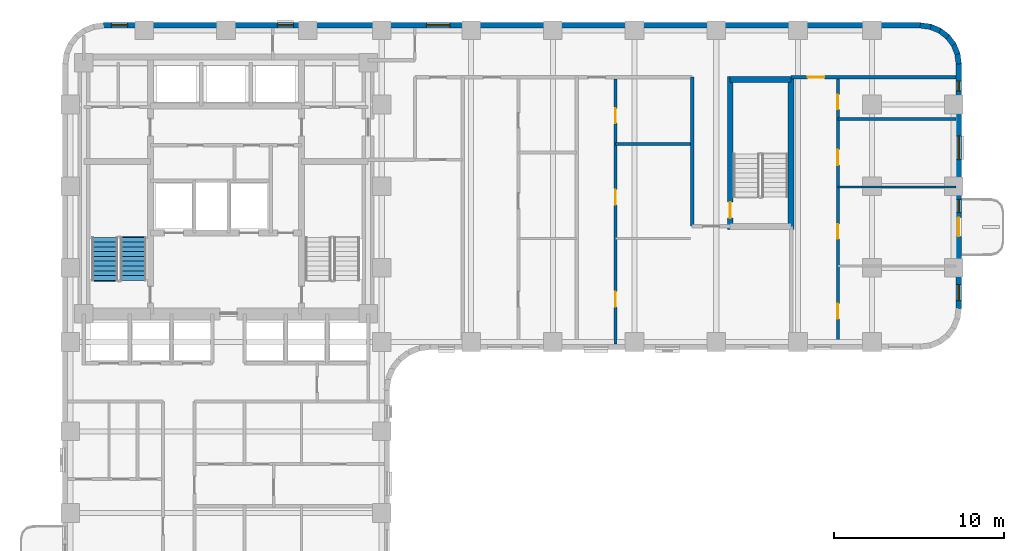
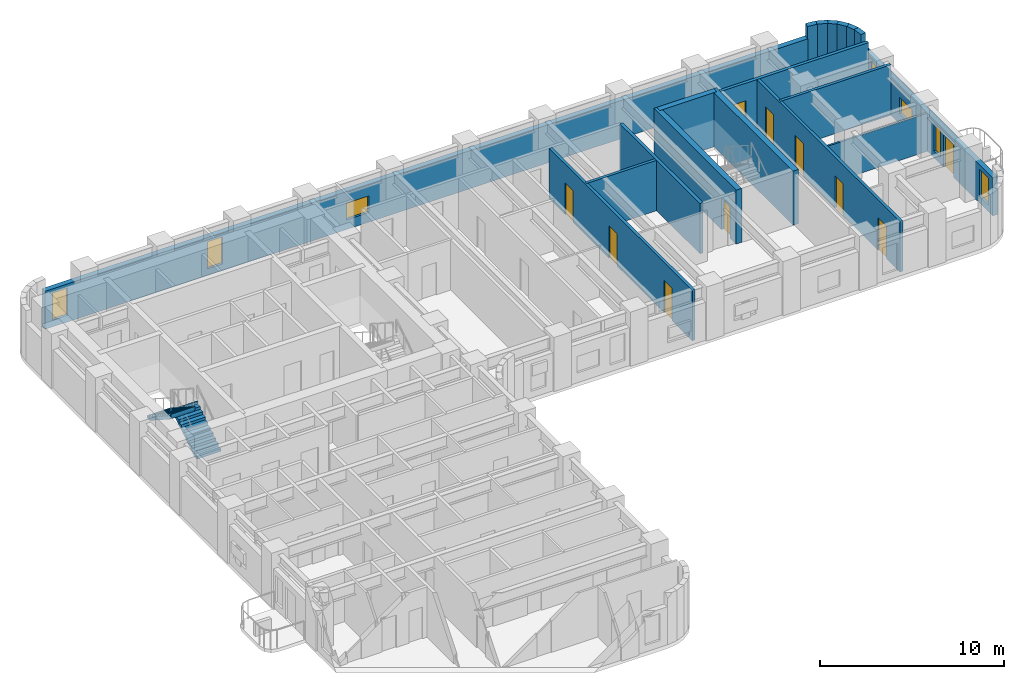
# One storey, part 7 of 11: 18 walls, 10 doors, 7 windows, 2 stair flights, 17 openings, 1 element without a shape of its own.
"""IFC4 building model written with IfcOpenShell, lengths in metres."""

from ifc_helpers import new_model, si_unit, direction, frame, frame_2d, origin, place, context, subcontext, project, spatial, polyline, rectangle, outline, extrude, material, layer, layer_set, type_object, element, fill, aggregate, save


model = new_model("IFC4")

# Units and contexts
model_context = context("Model", 3, precision=1e-05, world=origin(), true_north=direction((0.0, 1.0)))
body_context = subcontext(model_context, "Body", "Model", "MODEL_VIEW")
ifc_project = project(units=[si_unit("LENGTHUNIT", "METRE"), si_unit("AREAUNIT", "SQUARE_METRE"), si_unit("VOLUMEUNIT", "CUBIC_METRE"), si_unit("PLANEANGLEUNIT", "RADIAN"), si_unit("MASSUNIT", "GRAM", prefix="KILO")], contexts=[model_context])

# Site, building, storey
site_placement = place(None, origin())
site = spatial("IfcSite", under=ifc_project, at=site_placement, CompositionType="ELEMENT")
building_placement = place(site_placement, origin())
building = spatial("IfcBuilding", under=site, at=building_placement, Name="Orvandelia Arch Residences", CompositionType="ELEMENT")
storey_placement = place(building_placement, frame((0.0, 0.0, 89.800048828125)))
storey = spatial("IfcBuildingStorey", under=building, at=storey_placement, Name="L23", CompositionType="ELEMENT", Elevation=89.800048828125)

# Wall, opening, door
ifc_material_1 = material(Name="Concrete C50/60", Category="concrete")
ifc_layer_1 = layer(ifc_material_1, 0.35009765625, Name="Concrete C50/60", Category="concrete")
ifc_layer_set_1 = layer_set([ifc_layer_1], Name="Concrete C50/60")
wall_type_1 = type_object("IfcWallType", Name="WL-CORE-350", PredefinedType="SHEAR", material=ifc_layer_set_1)
wall_1_placement = place(storey_placement, frame((44.02001953125, 35.864990234375, 0.0), z_axis=(0.0, 0.0, 1.0), x_axis=(0.0, 1.0, 0.0)))
wall_1 = element("IfcWall", 1, at=wall_1_placement, inside=storey, type_object=wall_type_1, Name="East Stair Core Shear Wall L23-W", PredefinedType="SHEAR", context=body_context, shape_type="SweptSolid", body=[
    extrude(rectangle(XDim=8.969970703125, YDim=0.35009765625, at=frame_2d((4.48486328125, 0.0))), origin(), (0.0, 0.0, 1.0), 3.599853515625),
])
opening_1_placement = place(wall_1_placement, frame((0.64990234375, 0.0, 0.0)))
opening_1 = element("IfcOpeningElement", 2, at=opening_1_placement, cuts=wall_1, Name="Opening D7", PredefinedType="OPENING", context=body_context, shape_type="SweptSolid", body=[
    extrude(rectangle(XDim=0.949951171875, YDim=2.10009765625, at=frame_2d((0.47509765625, 1.050048828125))), frame((0.0, 0.18505859375, 0.0), z_axis=(0.0, -1.0, 0.0), x_axis=(1.0, 0.0, 0.0)), (0.0, 0.0, 1.0), 0.3701171875),
])
ifc_material_2 = material(Name="Pressurised Stairwell Fire Door")
door_type_1 = type_object("IfcDoorType", Name="DR-STAIR-950", OperationType="NOTDEFINED", PredefinedType="DOOR", material=ifc_material_2)
door_1_placement = place(opening_1_placement, origin())
door_1 = element("IfcDoor", 3, at=door_1_placement, inside=storey, type_object=door_type_1, Name="East Stairwell ST-3 Fire Door L23", OperationType="SINGLE_SWING_LEFT", OverallHeight=2.10009765625, OverallWidth=0.949951171875, PredefinedType="DOOR", context=body_context, shape_type="SweptSolid", body=[
    extrude(rectangle(XDim=0.949951171875, YDim=2.10009765625, at=frame_2d((0.47509765625, 1.050048828125))), frame((0.0, 0.02490234375, 0.0), z_axis=(0.0, -1.0, 0.0), x_axis=(1.0, 0.0, 0.0)), (0.0, 0.0, 1.0), 0.050048828125),
])
fill(opening_1, door_1)

# Walls
wall_2_placement = place(storey_placement, frame((47.60009765625, 35.864990234375, 0.0), z_axis=(0.0, 0.0, 1.0), x_axis=(0.0, 1.0, 0.0)))
element("IfcWall", 4, at=wall_2_placement, inside=storey, type_object=wall_type_1, Name="East Stair Core Shear Wall L23-E", PredefinedType="SHEAR", context=body_context, shape_type="SweptSolid", body=[
    extrude(rectangle(XDim=8.969970703125, YDim=0.35009765625, at=frame_2d((4.48486328125, 0.0))), origin(), (0.0, 0.0, 1.0), 3.599853515625),
])
wall_3_placement = place(storey_placement, frame((44.02001953125, 44.659912109375, 0.0), z_axis=(0.0, 0.0, 1.0), x_axis=(1.0, 0.0, 0.0)))
element("IfcWall", 5, at=wall_3_placement, inside=storey, type_object=wall_type_1, Name="East Stair Core Shear Wall L23-N", PredefinedType="SHEAR", context=body_context, shape_type="SweptSolid", body=[
    extrude(rectangle(XDim=3.580078125, YDim=0.35009765625, at=frame_2d((1.7900390625, 0.0))), origin(), (0.0, 0.0, 1.0), 3.599853515625),
])

# Wall, opening, door
ifc_material_3 = material(Name="Fire-Rated Corridor Partition")
ifc_layer_2 = layer(ifc_material_3, 0.199951171875, Name="Fire-Rated Corridor Partition")
ifc_layer_set_2 = layer_set([ifc_layer_2], Name="Fire-Rated Corridor Partition")
wall_type_2 = type_object("IfcWallType", Name="WL-CORR-200", PredefinedType="PARTITIONING", material=ifc_layer_set_2)
wall_4_placement = place(storey_placement, frame((47.60009765625, 44.800048828125, 0.0), z_axis=(0.0, 0.0, 1.0), x_axis=(1.0, 0.0, 0.0)))
wall_4 = element("IfcWall", 6, at=wall_4_placement, inside=storey, type_object=wall_type_2, Name="Interior Partition Wall WL-L23-EN2-S2", PredefinedType="PARTITIONING", context=body_context, shape_type="SweptSolid", body=[
    extrude(rectangle(XDim=9.679931640625, YDim=0.199951171875, at=frame_2d((4.83984375, 0.0))), origin(), (0.0, 0.0, 1.0), 3.349853515625),
])
opening_2_placement = place(wall_4_placement, frame((0.968505859375, 0.0, 0.0)))
opening_2 = element("IfcOpeningElement", 7, at=opening_2_placement, cuts=wall_4, Name="Opening D1", PredefinedType="OPENING", context=body_context, shape_type="SweptSolid", body=[
    extrude(rectangle(XDim=0.97998046875, YDim=2.179931640625, at=frame_2d((0.489990234375, 1.08984375))), frame((0.0, 0.10986328125, 0.0), z_axis=(0.0, -1.0, 0.0), x_axis=(1.0, 0.0, 0.0)), (0.0, 0.0, 1.0), 0.219970703125),
])
ifc_material_4 = material(Name="Solid-Core Timber Acoustic Fire Door", Category="wood")
door_type_2 = type_object("IfcDoorType", Name="DR-ENT-980", OperationType="NOTDEFINED", PredefinedType="DOOR", material=ifc_material_4)
door_2_placement = place(opening_2_placement, origin())
door_2 = element("IfcDoor", 8, at=door_2_placement, inside=storey, type_object=door_type_2, Name="Unit L23-08 Entrance Door", OperationType="SINGLE_SWING_RIGHT", OverallHeight=2.179931640625, OverallWidth=0.97998046875, PredefinedType="DOOR", context=body_context, shape_type="SweptSolid", body=[
    extrude(rectangle(XDim=0.97998046875, YDim=2.179931640625, at=frame_2d((0.489990234375, 1.08984375))), frame((0.0, 0.02490234375, 0.0), z_axis=(0.0, -1.0, 0.0), x_axis=(1.0, 0.0, 0.0)), (0.0, 0.0, 1.0), 0.050048828125),
])
fill(opening_2, door_2)

# Wall
wall_5_placement = place(storey_placement, frame((41.780029296875, 36.050048828125, 0.0), z_axis=(0.0, 0.0, 1.0), x_axis=(0.0, 1.0, 0.0)))
element("IfcWall", 9, at=wall_5_placement, inside=storey, type_object=wall_type_2, Name="Interior Partition Wall WL-L23-EN2-SW", PredefinedType="PARTITIONING", context=body_context, shape_type="SweptSolid", body=[
    extrude(rectangle(XDim=8.75, YDim=0.199951171875, at=frame_2d((4.375, 0.0))), origin(), (0.0, 0.0, 1.0), 3.349853515625),
])

# Wall, openings, windows
ifc_material_5 = material(Name="Precast concrete C40/50", Category="concrete")
ifc_layer_3 = layer(ifc_material_5, 0.320068359375, Name="Precast concrete C40/50", Category="concrete")
ifc_layer_set_3 = layer_set([ifc_layer_3], Name="Precast concrete C40/50")
wall_type_3 = type_object("IfcWallType", Name="WL-EXT-STONE-320", PredefinedType="STANDARD", material=ifc_layer_set_3)
wall_6_placement = place(storey_placement, frame((7.199951171875, 47.840087890625, 0.0), z_axis=(0.0, 0.0, 1.0), x_axis=(1.0, 0.0, 0.0)))
wall_6 = element("IfcWall", 10, at=wall_6_placement, inside=storey, type_object=wall_type_3, Name="Coral-Limestone Precast Facade Wall L23-007", PredefinedType="STANDARD", context=body_context, shape_type="SweptSolid", body=[
    extrude(rectangle(XDim=48.0, YDim=0.320068359375, at=frame_2d((24.0, 0.0))), origin(), (0.0, 0.0, 1.0), 2.530029296875),
])
opening_3_placement = place(wall_6_placement, frame((18.965087890625, 0.0, 0.64990234375)))
opening_3 = element("IfcOpeningElement", 11, at=opening_3_placement, cuts=wall_6, Name="Opening W10", PredefinedType="OPENING", context=body_context, shape_type="SweptSolid", body=[
    extrude(rectangle(XDim=1.39990234375, YDim=1.10009765625, at=frame_2d((0.699951171875, 0.550048828125))), frame((0.0, 0.169921875, 0.0), z_axis=(0.0, -1.0, 0.0), x_axis=(1.0, 0.0, 0.0)), (0.0, 0.0, 1.0), 0.340087890625),
])
opening_4_placement = place(wall_6_placement, frame((0.469970703125, 0.0, 0.449951171875)))
opening_4 = element("IfcOpeningElement", 12, at=opening_4_placement, cuts=wall_6, Name="Opening W4", PredefinedType="OPENING", context=body_context, shape_type="SweptSolid", body=[
    extrude(rectangle(XDim=0.949951171875, YDim=1.800048828125, at=frame_2d((0.47509765625, 0.89990234375))), frame((0.0, 0.169921875, 0.0), z_axis=(0.0, -1.0, 0.0), x_axis=(1.0, 0.0, 0.0)), (0.0, 0.0, 1.0), 0.340087890625),
])
opening_5_placement = place(wall_6_placement, frame((10.215087890625, 0.0, 0.449951171875)))
opening_5 = element("IfcOpeningElement", 13, at=opening_5_placement, cuts=wall_6, Name="Opening W4", PredefinedType="OPENING", context=body_context, shape_type="SweptSolid", body=[
    extrude(rectangle(XDim=0.949951171875, YDim=1.800048828125, at=frame_2d((0.47509765625, 0.89990234375))), frame((0.0, 0.169921875, 0.0), z_axis=(0.0, -1.0, 0.0), x_axis=(1.0, 0.0, 0.0)), (0.0, 0.0, 1.0), 0.340087890625),
])
ifc_material_6 = material(Name="Tempered Low-E Insulated Glazing", Category="glass")
window_type_1 = type_object("IfcWindowType", Name="WIN-CLR-1400x1100", PartitioningType="SINGLE_PANEL", PredefinedType="WINDOW", material=ifc_material_6)
window_1_placement = place(opening_3_placement, origin())
window_1 = element("IfcWindow", 14, at=window_1_placement, inside=storey, type_object=window_type_1, Name="Recessed Punched Window L23-001", OverallHeight=1.10009765625, OverallWidth=1.39990234375, PartitioningType="SINGLE_PANEL", PredefinedType="WINDOW", context=body_context, shape_type="SweptSolid", body=[
    extrude(rectangle(XDim=1.39990234375, YDim=1.10009765625, at=frame_2d((0.699951171875, 0.550048828125))), frame((0.0, 0.030029296875, 0.0), z_axis=(0.0, -1.0, 0.0), x_axis=(1.0, 0.0, 0.0)), (0.0, 0.0, 1.0), 0.06005859375),
])
fill(opening_3, window_1)
window_type_2 = type_object("IfcWindowType", Name="WIN-RES-0950x1800", PartitioningType="SINGLE_PANEL", PredefinedType="WINDOW", material=ifc_material_6)
window_2_placement = place(opening_4_placement, origin())
window_2 = element("IfcWindow", 15, at=window_2_placement, inside=storey, type_object=window_type_2, Name="Recessed Punched Window L23-002", OverallHeight=1.800048828125, OverallWidth=0.949951171875, PartitioningType="SINGLE_PANEL", PredefinedType="WINDOW", context=body_context, shape_type="SweptSolid", body=[
    extrude(rectangle(XDim=0.949951171875, YDim=1.800048828125, at=frame_2d((0.47509765625, 0.89990234375))), frame((0.0, 0.030029296875, 0.0), z_axis=(0.0, -1.0, 0.0), x_axis=(1.0, 0.0, 0.0)), (0.0, 0.0, 1.0), 0.06005859375),
])
fill(opening_4, window_2)
window_3_placement = place(opening_5_placement, origin())
window_3 = element("IfcWindow", 16, at=window_3_placement, inside=storey, type_object=window_type_2, Name="Recessed Punched Window L23-003", OverallHeight=1.800048828125, OverallWidth=0.949951171875, PartitioningType="SINGLE_PANEL", PredefinedType="WINDOW", context=body_context, shape_type="SweptSolid", body=[
    extrude(rectangle(XDim=0.949951171875, YDim=1.800048828125, at=frame_2d((0.47509765625, 0.89990234375))), frame((0.0, 0.030029296875, 0.0), z_axis=(0.0, -1.0, 0.0), x_axis=(1.0, 0.0, 0.0)), (0.0, 0.0, 1.0), 0.06005859375),
])
fill(opening_5, window_3)

# Walls
for number, where, z_axis, x_axis, name in (
    (17, (55.17919921875, 47.84130859375, 0.0), (0.0, 0.0, 1.0), (0.9914410257, -0.130555323746, 0.0), "Coral-Limestone Precast Facade Wall L23-008"),
    (18, (55.760009765625, 47.7705078125, 0.0), (0.0, 0.0, 1.0), (0.92389335771, -0.382650053678, 0.0), "Coral-Limestone Precast Facade Wall L23-009"),
):
    element("IfcWall", number, at=place(storey_placement, frame(where, z_axis=z_axis, x_axis=x_axis)), inside=storey, type_object=wall_type_3, Name=name, PredefinedType="STANDARD", context=body_context, shape_type="SweptSolid", body=[
        extrude(rectangle(XDim=0.62646484375, YDim=0.320068359375, at=frame_2d((0.313232421875, 0.0))), origin(), (0.0, 0.0, 1.0), 3.349853515625),
    ])
wall_7_placement = place(storey_placement, frame((56.302490234375, 47.551513671875, 0.0), z_axis=(0.0, 0.0, 1.0), x_axis=(0.793549926411, -0.608505147302, 0.0)))
element("IfcWall", 19, at=wall_7_placement, inside=storey, type_object=wall_type_3, Name="Coral-Limestone Precast Facade Wall L23-010", PredefinedType="STANDARD", context=body_context, shape_type="SweptSolid", body=[
    extrude(rectangle(XDim=0.626708984375, YDim=0.320068359375, at=frame_2d((0.3134765625, 0.0))), origin(), (0.0, 0.0, 1.0), 3.349853515625),
])
for number, where, z_axis, x_axis, name in (
    (20, (56.770263671875, 47.19970703125, 0.0), (0.0, 0.0, 1.0), (0.608693302629, -0.793405610854, 0.0), "Coral-Limestone Precast Facade Wall L23-011"),
    (21, (57.130615234375, 46.73876953125, 0.0), (0.0, 0.0, 1.0), (0.382650053678, -0.92389335771, 0.0), "Coral-Limestone Precast Facade Wall L23-012"),
    (22, (57.359619140625, 46.2001953125, 0.0), (0.0, 0.0, 1.0), (0.130555323746, -0.9914410257, 0.0), "Coral-Limestone Precast Facade Wall L23-013"),
):
    element("IfcWall", number, at=place(storey_placement, frame(where, z_axis=z_axis, x_axis=x_axis)), inside=storey, type_object=wall_type_3, Name=name, PredefinedType="STANDARD", context=body_context, shape_type="SweptSolid", body=[
        extrude(rectangle(XDim=0.62646484375, YDim=0.320068359375, at=frame_2d((0.313232421875, 0.0))), origin(), (0.0, 0.0, 1.0), 3.349853515625),
    ])

# Wall, openings, door, windows
wall_8_placement = place(storey_placement, frame((57.43994140625, 45.60009765625, 0.0), z_axis=(0.0, 0.0, 1.0), x_axis=(0.0, -1.0, 0.0)))
wall_8 = element("IfcWall", 23, at=wall_8_placement, inside=storey, type_object=wall_type_3, Name="Coral-Limestone Precast Facade Wall L23-014", PredefinedType="STANDARD", context=body_context, shape_type="SweptSolid", body=[
    extrude(rectangle(XDim=14.400146484375, YDim=0.320068359375, at=frame_2d((7.2001953125, 0.0))), origin(), (0.0, 0.0, 1.0), 2.530029296875),
])
opening_6_placement = place(wall_8_placement, frame((9.050048828125, 0.0, 0.0)))
opening_6 = element("IfcOpeningElement", 24, at=opening_6_placement, cuts=wall_8, Name="Opening BD1", PredefinedType="OPENING", context=body_context, shape_type="SweptSolid", body=[
    extrude(rectangle(XDim=1.10009765625, YDim=2.14990234375, at=frame_2d((0.550048828125, 1.074951171875))), frame((0.0, 0.169921875, 0.0), z_axis=(0.0, -1.0, 0.0), x_axis=(1.0, 0.0, 0.0)), (0.0, 0.0, 1.0), 0.340087890625),
])
opening_7_placement = place(wall_8_placement, frame((12.97998046875, 0.0, 0.449951171875)))
opening_7 = element("IfcOpeningElement", 25, at=opening_7_placement, cuts=wall_8, Name="Opening W4", PredefinedType="OPENING", context=body_context, shape_type="SweptSolid", body=[
    extrude(rectangle(XDim=0.949951171875, YDim=1.800048828125, at=frame_2d((0.47509765625, 0.89990234375))), frame((0.0, 0.169921875, 0.0), z_axis=(0.0, -1.0, 0.0), x_axis=(1.0, 0.0, 0.0)), (0.0, 0.0, 1.0), 0.340087890625),
])
opening_8_placement = place(wall_8_placement, frame((1.02490234375, 0.0, 0.449951171875)))
opening_8 = element("IfcOpeningElement", 26, at=opening_8_placement, cuts=wall_8, Name="Opening W12", PredefinedType="OPENING", context=body_context, shape_type="SweptSolid", body=[
    extrude(rectangle(XDim=0.60009765625, YDim=1.800048828125, at=frame_2d((0.300048828125, 0.89990234375))), frame((0.0, 0.169921875, 0.0), z_axis=(0.0, -1.0, 0.0), x_axis=(1.0, 0.0, 0.0)), (0.0, 0.0, 1.0), 0.340087890625),
])
opening_9_placement = place(wall_8_placement, frame((4.239990234375, 0.0, 0.64990234375)))
opening_9 = element("IfcOpeningElement", 27, at=opening_9_placement, cuts=wall_8, Name="Opening W10", PredefinedType="OPENING", context=body_context, shape_type="SweptSolid", body=[
    extrude(rectangle(XDim=1.39990234375, YDim=1.10009765625, at=frame_2d((0.699951171875, 0.550048828125))), frame((0.0, 0.169921875, 0.0), z_axis=(0.0, -1.0, 0.0), x_axis=(1.0, 0.0, 0.0)), (0.0, 0.0, 1.0), 0.340087890625),
])
opening_10_placement = place(wall_8_placement, frame((7.985107421875, 0.0, 0.449951171875)))
opening_10 = element("IfcOpeningElement", 28, at=opening_10_placement, cuts=wall_8, Name="Opening W11", PredefinedType="OPENING", context=body_context, shape_type="SweptSolid", body=[
    extrude(rectangle(XDim=0.75, YDim=1.800048828125, at=frame_2d((0.375, 0.89990234375))), frame((0.0, 0.169921875, 0.0), z_axis=(0.0, -1.0, 0.0), x_axis=(1.0, 0.0, 0.0)), (0.0, 0.0, 1.0), 0.340087890625),
])
ifc_material_7 = material(Name="Thermally Broken Aluminium Glazed Door", Category="aluminium")
door_type_3 = type_object("IfcDoorType", Name="DR-BAL-GLAZ-1100", OperationType="NOTDEFINED", PredefinedType="DOOR", material=ifc_material_7)
door_3_placement = place(opening_6_placement, origin())
door_3 = element("IfcDoor", 29, at=door_3_placement, inside=storey, type_object=door_type_3, Name="Tree Balcony Glazed Door BAL-L23-E1", OperationType="SINGLE_SWING_LEFT", OverallHeight=2.14990234375, OverallWidth=1.10009765625, PredefinedType="DOOR", context=body_context, shape_type="SweptSolid", body=[
    extrude(rectangle(XDim=1.10009765625, YDim=2.14990234375, at=frame_2d((0.550048828125, 1.074951171875))), frame((0.0, 0.02490234375, 0.0), z_axis=(0.0, -1.0, 0.0), x_axis=(1.0, 0.0, 0.0)), (0.0, 0.0, 1.0), 0.050048828125),
])
fill(opening_6, door_3)
window_type_3 = type_object("IfcWindowType", Name="WIN-BED-0750x1800", PartitioningType="SINGLE_PANEL", PredefinedType="WINDOW", material=ifc_material_6)
window_4_placement = place(opening_10_placement, origin())
window_4 = element("IfcWindow", 30, at=window_4_placement, inside=storey, type_object=window_type_3, Name="Recessed Punched Window L23-007", OverallHeight=1.800048828125, OverallWidth=0.75, PartitioningType="SINGLE_PANEL", PredefinedType="WINDOW", context=body_context, shape_type="SweptSolid", body=[
    extrude(rectangle(XDim=0.75, YDim=1.800048828125, at=frame_2d((0.375, 0.89990234375))), frame((0.0, 0.030029296875, 0.0), z_axis=(0.0, -1.0, 0.0), x_axis=(1.0, 0.0, 0.0)), (0.0, 0.0, 1.0), 0.06005859375),
])
fill(opening_10, window_4)
window_5_placement = place(opening_9_placement, origin())
window_5 = element("IfcWindow", 31, at=window_5_placement, inside=storey, type_object=window_type_1, Name="Recessed Punched Window L23-006", OverallHeight=1.10009765625, OverallWidth=1.39990234375, PartitioningType="SINGLE_PANEL", PredefinedType="WINDOW", context=body_context, shape_type="SweptSolid", body=[
    extrude(rectangle(XDim=1.39990234375, YDim=1.10009765625, at=frame_2d((0.699951171875, 0.550048828125))), frame((0.0, 0.030029296875, 0.0), z_axis=(0.0, -1.0, 0.0), x_axis=(1.0, 0.0, 0.0)), (0.0, 0.0, 1.0), 0.06005859375),
])
fill(opening_9, window_5)
window_type_4 = type_object("IfcWindowType", Name="WIN-LAN-0600x1800", PartitioningType="SINGLE_PANEL", PredefinedType="WINDOW", material=ifc_material_6)
window_6_placement = place(opening_8_placement, origin())
window_6 = element("IfcWindow", 32, at=window_6_placement, inside=storey, type_object=window_type_4, Name="Recessed Punched Window L23-005", OverallHeight=1.800048828125, OverallWidth=0.60009765625, PartitioningType="SINGLE_PANEL", PredefinedType="WINDOW", context=body_context, shape_type="SweptSolid", body=[
    extrude(rectangle(XDim=0.60009765625, YDim=1.800048828125, at=frame_2d((0.300048828125, 0.89990234375))), frame((0.0, 0.030029296875, 0.0), z_axis=(0.0, -1.0, 0.0), x_axis=(1.0, 0.0, 0.0)), (0.0, 0.0, 1.0), 0.06005859375),
])
fill(opening_8, window_6)
window_7_placement = place(opening_7_placement, origin())
window_7 = element("IfcWindow", 33, at=window_7_placement, inside=storey, type_object=window_type_2, Name="Recessed Punched Window L23-004", OverallHeight=1.800048828125, OverallWidth=0.949951171875, PartitioningType="SINGLE_PANEL", PredefinedType="WINDOW", context=body_context, shape_type="SweptSolid", body=[
    extrude(rectangle(XDim=0.949951171875, YDim=1.800048828125, at=frame_2d((0.47509765625, 0.89990234375))), frame((0.0, 0.030029296875, 0.0), z_axis=(0.0, -1.0, 0.0), x_axis=(1.0, 0.0, 0.0)), (0.0, 0.0, 1.0), 0.06005859375),
])
fill(opening_7, window_7)

# Wall
ifc_material_8 = material(Name="Lightweight Gypsum Stud Partition")
ifc_layer_4 = layer(ifc_material_8, 0.1201171875, Name="Lightweight Gypsum Stud Partition")
ifc_layer_set_4 = layer_set([ifc_layer_4], Name="Lightweight Gypsum Stud Partition")
wall_type_4 = type_object("IfcWallType", Name="WL-PART-120", PredefinedType="PARTITIONING", material=ifc_layer_set_4)
wall_9_placement = place(storey_placement, frame((50.339111328125, 38.362060546875, 0.0), z_axis=(0.0, 0.0, 1.0), x_axis=(1.0, 0.0, 0.0)))
element("IfcWall", 34, at=wall_9_placement, inside=storey, type_object=wall_type_4, Name="Interior Partition Wall WL-L23-U08-H1", PredefinedType="PARTITIONING", context=body_context, shape_type="SweptSolid", body=[
    extrude(rectangle(XDim=6.94091796875, YDim=0.1201171875, at=frame_2d((3.470458984375, 0.0))), origin(), (0.0, 0.0, 1.0), 2.530029296875),
])

# Wall, openings, doors
ifc_material_9 = material(Name="Moisture-Resistant Plumbing Wall")
ifc_layer_5 = layer(ifc_material_9, 0.179931640625, Name="Moisture-Resistant Plumbing Wall")
ifc_layer_set_5 = layer_set([ifc_layer_5], Name="Moisture-Resistant Plumbing Wall")
wall_type_5 = type_object("IfcWallType", Name="WL-WET-180", PredefinedType="PLUMBINGWALL", material=ifc_layer_set_5)
wall_10_placement = place(storey_placement, frame((37.280029296875, 29.1201171875, 0.0), z_axis=(0.0, 0.0, 1.0), x_axis=(0.0, 1.0, 0.0)))
wall_10 = element("IfcWall", 35, at=wall_10_placement, inside=storey, type_object=wall_type_5, Name="Interior Partition Wall WL-L23-U07-VT", PredefinedType="PLUMBINGWALL", context=body_context, shape_type="SweptSolid", body=[
    extrude(rectangle(XDim=15.579833984375, YDim=0.179931640625, at=frame_2d((7.7900390625, 0.0))), origin(), (0.0, 0.0, 1.0), 3.349853515625),
])
opening_11_placement = place(wall_10_placement, frame((2.1826171875, 0.0, 0.0)))
opening_11 = element("IfcOpeningElement", 36, at=opening_11_placement, cuts=wall_10, Name="Opening D3", PredefinedType="OPENING", context=body_context, shape_type="SweptSolid", body=[
    extrude(rectangle(XDim=0.89990234375, YDim=2.14990234375, at=frame_2d((0.449951171875, 1.074951171875))), frame((0.0, 0.10009765625, 0.0), z_axis=(0.0, -1.0, 0.0), x_axis=(1.0, 0.0, 0.0)), (0.0, 0.0, 1.0), 0.199951171875),
])
opening_12_placement = place(wall_10_placement, frame((8.182861328125, 0.0, 0.0)))
opening_12 = element("IfcOpeningElement", 37, at=opening_12_placement, cuts=wall_10, Name="Opening D3", PredefinedType="OPENING", context=body_context, shape_type="SweptSolid", body=[
    extrude(rectangle(XDim=0.89990234375, YDim=2.14990234375, at=frame_2d((0.449951171875, 1.074951171875))), frame((0.0, 0.10009765625, 0.0), z_axis=(0.0, -1.0, 0.0), x_axis=(1.0, 0.0, 0.0)), (0.0, 0.0, 1.0), 0.199951171875),
])
opening_13_placement = place(wall_10_placement, frame((12.984619140625, 0.0, 0.0)))
opening_13 = element("IfcOpeningElement", 38, at=opening_13_placement, cuts=wall_10, Name="Opening D4", PredefinedType="OPENING", context=body_context, shape_type="SweptSolid", body=[
    extrude(rectangle(XDim=0.860107421875, YDim=2.10009765625, at=frame_2d((0.43017578125, 1.050048828125))), frame((0.0, 0.10009765625, 0.0), z_axis=(0.0, -1.0, 0.0), x_axis=(1.0, 0.0, 0.0)), (0.0, 0.0, 1.0), 0.199951171875),
])
ifc_material_10 = material(Name="Engineered Timber Flush Door", Category="wood")
door_type_4 = type_object("IfcDoorType", Name="DR-INT-900", OperationType="NOTDEFINED", PredefinedType="DOOR", material=ifc_material_10)
door_4_placement = place(opening_11_placement, origin())
door_4 = element("IfcDoor", 39, at=door_4_placement, inside=storey, type_object=door_type_4, Name="DR-L23-U07-BD1", OperationType="SINGLE_SWING_LEFT", OverallHeight=2.14990234375, OverallWidth=0.89990234375, PredefinedType="DOOR", context=body_context, shape_type="SweptSolid", body=[
    extrude(rectangle(XDim=0.89990234375, YDim=2.14990234375, at=frame_2d((0.449951171875, 1.074951171875))), frame((0.0, 0.02490234375, 0.0), z_axis=(0.0, -1.0, 0.0), x_axis=(1.0, 0.0, 0.0)), (0.0, 0.0, 1.0), 0.050048828125),
])
fill(opening_11, door_4)
door_5_placement = place(opening_12_placement, origin())
door_5 = element("IfcDoor", 40, at=door_5_placement, inside=storey, type_object=door_type_4, Name="DR-L23-U07-KIT", OperationType="SINGLE_SWING_RIGHT", OverallHeight=2.14990234375, OverallWidth=0.89990234375, PredefinedType="DOOR", context=body_context, shape_type="SweptSolid", body=[
    extrude(rectangle(XDim=0.89990234375, YDim=2.14990234375, at=frame_2d((0.449951171875, 1.074951171875))), frame((0.0, 0.02490234375, 0.0), z_axis=(0.0, -1.0, 0.0), x_axis=(1.0, 0.0, 0.0)), (0.0, 0.0, 1.0), 0.050048828125),
])
fill(opening_12, door_5)
ifc_material_11 = material(Name="Moisture-Sealed Timber Bathroom Door", Category="wood")
door_type_5 = type_object("IfcDoorType", Name="DR-WET-900", OperationType="NOTDEFINED", PredefinedType="DOOR", material=ifc_material_11)
door_6_placement = place(opening_13_placement, origin())
door_6 = element("IfcDoor", 41, at=door_6_placement, inside=storey, type_object=door_type_5, Name="DR-L23-U07-BTH", OperationType="SINGLE_SWING_LEFT", OverallHeight=2.10009765625, OverallWidth=0.860107421875, PredefinedType="DOOR", context=body_context, shape_type="SweptSolid", body=[
    extrude(rectangle(XDim=0.860107421875, YDim=2.10009765625, at=frame_2d((0.43017578125, 1.050048828125))), frame((0.0, 0.02490234375, 0.0), z_axis=(0.0, -1.0, 0.0), x_axis=(1.0, 0.0, 0.0)), (0.0, 0.0, 1.0), 0.050048828125),
])
fill(opening_13, door_6)

# Wall
wall_11_placement = place(storey_placement, frame((37.280029296875, 40.881103515625, 0.0), z_axis=(0.0, 0.0, 1.0), x_axis=(1.0, 0.0, 0.0)))
element("IfcWall", 42, at=wall_11_placement, inside=storey, type_object=wall_type_5, Name="Interior Partition Wall WL-L23-U07-H2", PredefinedType="PLUMBINGWALL", context=body_context, shape_type="SweptSolid", body=[
    extrude(rectangle(XDim=4.39990234375, YDim=0.179931640625, at=frame_2d((2.199951171875, 0.0))), origin(), (0.0, 0.0, 1.0), 3.349853515625),
])

# Wall, openings, doors
wall_12_placement = place(storey_placement, frame((50.339111328125, 29.1201171875, 0.0), z_axis=(0.0, 0.0, 1.0), x_axis=(0.0, 1.0, 0.0)))
wall_12 = element("IfcWall", 43, at=wall_12_placement, inside=storey, type_object=wall_type_5, Name="Interior Partition Wall WL-L23-U08-VT", PredefinedType="PLUMBINGWALL", context=body_context, shape_type="SweptSolid", body=[
    extrude(rectangle(XDim=15.579833984375, YDim=0.179931640625, at=frame_2d((7.7900390625, 0.0))), origin(), (0.0, 0.0, 1.0), 3.349853515625),
])
opening_14_placement = place(wall_12_placement, frame((1.48291015625, 0.0, 0.0)))
opening_14 = element("IfcOpeningElement", 44, at=opening_14_placement, cuts=wall_12, Name="Opening D3", PredefinedType="OPENING", context=body_context, shape_type="SweptSolid", body=[
    extrude(rectangle(XDim=0.89990234375, YDim=2.14990234375, at=frame_2d((0.449951171875, 1.074951171875))), frame((0.0, 0.10009765625, 0.0), z_axis=(0.0, -1.0, 0.0), x_axis=(1.0, 0.0, 0.0)), (0.0, 0.0, 1.0), 0.199951171875),
])
opening_15_placement = place(wall_12_placement, frame((6.18896484375, 0.0, 0.0)))
opening_15 = element("IfcOpeningElement", 45, at=opening_15_placement, cuts=wall_12, Name="Opening D4", PredefinedType="OPENING", context=body_context, shape_type="SweptSolid", body=[
    extrude(rectangle(XDim=0.860107421875, YDim=2.10009765625, at=frame_2d((0.43017578125, 1.050048828125))), frame((0.0, 0.10009765625, 0.0), z_axis=(0.0, -1.0, 0.0), x_axis=(1.0, 0.0, 0.0)), (0.0, 0.0, 1.0), 0.199951171875),
])
opening_16_placement = place(wall_12_placement, frame((10.51904296875, 0.0, 0.0)))
opening_16 = element("IfcOpeningElement", 46, at=opening_16_placement, cuts=wall_12, Name="Opening D3", PredefinedType="OPENING", context=body_context, shape_type="SweptSolid", body=[
    extrude(rectangle(XDim=0.89990234375, YDim=2.14990234375, at=frame_2d((0.449951171875, 1.074951171875))), frame((0.0, 0.10009765625, 0.0), z_axis=(0.0, -1.0, 0.0), x_axis=(1.0, 0.0, 0.0)), (0.0, 0.0, 1.0), 0.199951171875),
])
opening_17_placement = place(wall_12_placement, frame((13.79248046875, 0.0, 0.0)))
opening_17 = element("IfcOpeningElement", 47, at=opening_17_placement, cuts=wall_12, Name="Opening D4", PredefinedType="OPENING", context=body_context, shape_type="SweptSolid", body=[
    extrude(rectangle(XDim=0.860107421875, YDim=2.10009765625, at=frame_2d((0.43017578125, 1.050048828125))), frame((0.0, 0.10009765625, 0.0), z_axis=(0.0, -1.0, 0.0), x_axis=(1.0, 0.0, 0.0)), (0.0, 0.0, 1.0), 0.199951171875),
])
door_7_placement = place(opening_14_placement, origin())
door_7 = element("IfcDoor", 48, at=door_7_placement, inside=storey, type_object=door_type_4, Name="DR-L23-U08-BD2", OperationType="SINGLE_SWING_LEFT", OverallHeight=2.14990234375, OverallWidth=0.89990234375, PredefinedType="DOOR", context=body_context, shape_type="SweptSolid", body=[
    extrude(rectangle(XDim=0.89990234375, YDim=2.14990234375, at=frame_2d((0.449951171875, 1.074951171875))), frame((0.0, 0.02490234375, 0.0), z_axis=(0.0, -1.0, 0.0), x_axis=(1.0, 0.0, 0.0)), (0.0, 0.0, 1.0), 0.050048828125),
])
fill(opening_14, door_7)
door_8_placement = place(opening_16_placement, origin())
door_8 = element("IfcDoor", 49, at=door_8_placement, inside=storey, type_object=door_type_4, Name="DR-L23-U08-KIT", OperationType="SINGLE_SWING_LEFT", OverallHeight=2.14990234375, OverallWidth=0.89990234375, PredefinedType="DOOR", context=body_context, shape_type="SweptSolid", body=[
    extrude(rectangle(XDim=0.89990234375, YDim=2.14990234375, at=frame_2d((0.449951171875, 1.074951171875))), frame((0.0, 0.02490234375, 0.0), z_axis=(0.0, -1.0, 0.0), x_axis=(1.0, 0.0, 0.0)), (0.0, 0.0, 1.0), 0.050048828125),
])
fill(opening_16, door_8)
door_9_placement = place(opening_15_placement, origin())
door_9 = element("IfcDoor", 50, at=door_9_placement, inside=storey, type_object=door_type_5, Name="DR-L23-U08-STDY", OperationType="SINGLE_SWING_RIGHT", OverallHeight=2.10009765625, OverallWidth=0.860107421875, PredefinedType="DOOR", context=body_context, shape_type="SweptSolid", body=[
    extrude(rectangle(XDim=0.860107421875, YDim=2.10009765625, at=frame_2d((0.43017578125, 1.050048828125))), frame((0.0, 0.02490234375, 0.0), z_axis=(0.0, -1.0, 0.0), x_axis=(1.0, 0.0, 0.0)), (0.0, 0.0, 1.0), 0.050048828125),
])
fill(opening_15, door_9)
door_10_placement = place(opening_17_placement, origin())
door_10 = element("IfcDoor", 51, at=door_10_placement, inside=storey, type_object=door_type_5, Name="DR-L23-U08-BTH", OperationType="SINGLE_SWING_RIGHT", OverallHeight=2.10009765625, OverallWidth=0.860107421875, PredefinedType="DOOR", context=body_context, shape_type="SweptSolid", body=[
    extrude(rectangle(XDim=0.860107421875, YDim=2.10009765625, at=frame_2d((0.43017578125, 1.050048828125))), frame((0.0, 0.02490234375, 0.0), z_axis=(0.0, -1.0, 0.0), x_axis=(1.0, 0.0, 0.0)), (0.0, 0.0, 1.0), 0.050048828125),
])
fill(opening_17, door_10)

# Wall
wall_13_placement = place(storey_placement, frame((50.339111328125, 42.35009765625, 0.0), z_axis=(0.0, 0.0, 1.0), x_axis=(1.0, 0.0, 0.0)))
element("IfcWall", 52, at=wall_13_placement, inside=storey, type_object=wall_type_5, Name="Interior Partition Wall WL-L23-U08-H2", PredefinedType="PLUMBINGWALL", context=body_context, shape_type="SweptSolid", body=[
    extrude(rectangle(XDim=6.94091796875, YDim=0.179931640625, at=frame_2d((3.470458984375, 0.0))), origin(), (0.0, 0.0, 1.0), 3.349853515625),
])

# Stair, stair flights
ifc_material_12 = material(Name="Concrete C40/50", Category="concrete")
stair_type = type_object("IfcStairType", Name="STAIR-RC-DOGLEG", PredefinedType="HALF_TURN_STAIR", material=ifc_material_12)
stair_placement = place(storey_placement, origin())
stair = element("IfcStair", 53, at=stair_placement, inside=storey, type_object=stair_type, Name="L23 Protected Exit Stair ST-1", PredefinedType="HALF_TURN_STAIR")
stair_flight_type = type_object("IfcStairFlightType", Name="STFLT-RC-1520", PredefinedType="STRAIGHT", material=ifc_material_12)
stair_flight_1_placement = place(storey_placement, frame((8.9599609375, 32.8701171875, 0.0), z_axis=(0.0, 0.0, 1.0), x_axis=(0.0, 1.0, 0.0)))
stair_flight_1 = element("IfcStairFlight", 54, at=stair_flight_1_placement, type_object=stair_flight_type, Name="ST-1 flight 1", NumberOfRisers=10, NumberOfTreads=9, PredefinedType="STRAIGHT", RiserHeight=0.18, TreadLength=0.28, context=body_context, shape_type="SweptSolid", body=[
    extrude(outline(polyline([(0.0, 0.0), (0.0, 0.179931640625), (0.280029296875, 0.179931640625), (0.280029296875, 0.360107421875), (0.56005859375, 0.360107421875), (0.56005859375, 0.5400390625), (0.840087890625, 0.5400390625), (0.840087890625, 0.719970703125), (1.1201171875, 0.719970703125), (1.1201171875, 0.89990234375), (1.39990234375, 0.89990234375), (1.39990234375, 1.080078125), (1.679931640625, 1.080078125), (1.679931640625, 1.260009765625), (1.9599609375, 1.260009765625), (1.9599609375, 1.43994140625), (2.239990234375, 1.43994140625), (2.239990234375, 1.6201171875), (2.52001953125, 1.6201171875), (2.52001953125, 1.800048828125), (2.580078125, 1.800048828125), (2.580078125, 1.6201171875), (2.52001953125, 1.44189453125), (0.277099609375, 0.0), (0.0, 0.0)])), frame((0.0, 0.760009765625, 0.0), z_axis=(0.0, -1.0, 0.0), x_axis=(1.0, 0.0, 0.0)), (0.0, 0.0, 1.0), 1.52001953125),
])
stair_flight_2_placement = place(storey_placement, frame((7.2900390625, 35.389892578125, 1.800048828125), z_axis=(0.0, 0.0, 1.0), x_axis=(0.0, -1.0, 0.0)))
stair_flight_2 = element("IfcStairFlight", 55, at=stair_flight_2_placement, type_object=stair_flight_type, Name="ST-1 flight 2", NumberOfRisers=10, NumberOfTreads=9, PredefinedType="STRAIGHT", RiserHeight=0.18, TreadLength=0.28, context=body_context, shape_type="SweptSolid", body=[
    extrude(outline(polyline([(0.0, 0.0), (0.0, 0.179931640625), (0.280029296875, 0.179931640625), (0.280029296875, 0.360107421875), (0.56005859375, 0.360107421875), (0.56005859375, 0.5400390625), (0.840087890625, 0.5400390625), (0.840087890625, 0.719970703125), (1.1201171875, 0.719970703125), (1.1201171875, 0.89990234375), (1.39990234375, 0.89990234375), (1.39990234375, 1.080078125), (1.679931640625, 1.080078125), (1.679931640625, 1.260009765625), (1.9599609375, 1.260009765625), (1.9599609375, 1.43994140625), (2.239990234375, 1.43994140625), (2.239990234375, 1.6201171875), (2.52001953125, 1.6201171875), (2.52001953125, 1.800048828125), (2.580078125, 1.800048828125), (2.580078125, 1.6201171875), (2.52001953125, 1.44189453125), (0.277099609375, 0.0), (0.0, 0.0)])), frame((0.0, 0.760009765625, 0.0), z_axis=(0.0, -1.0, 0.0), x_axis=(1.0, 0.0, 0.0)), (0.0, 0.0, 1.0), 1.52001953125),
])
aggregate(stair, [stair_flight_1, stair_flight_2])

save(model, "model.ifc")
